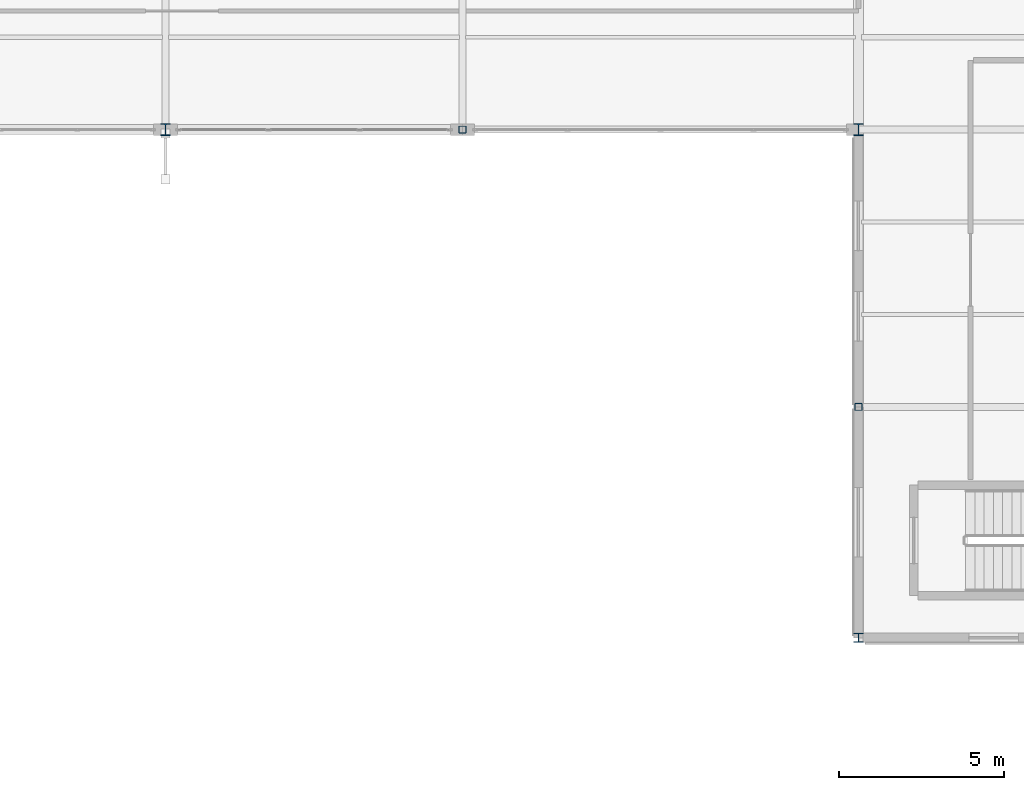
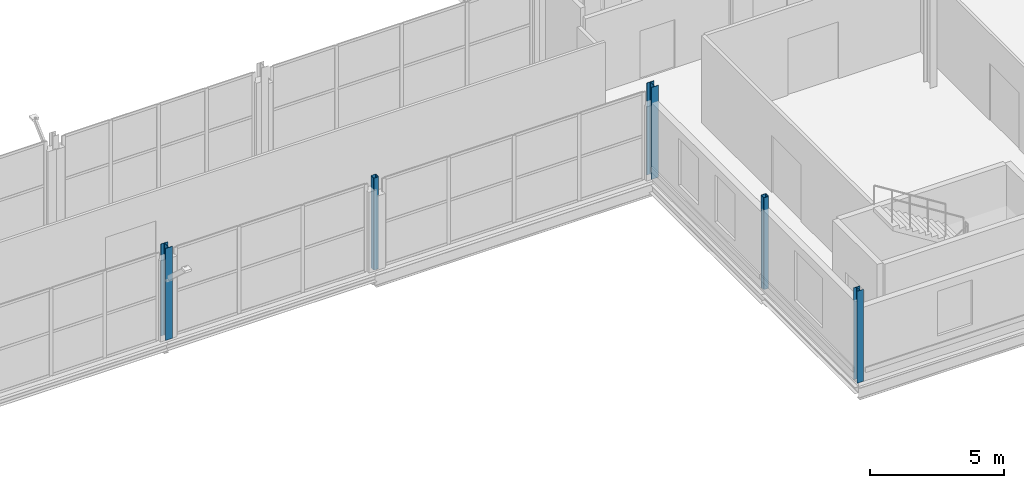
# One storey, part 11 of 101: 5 columns.
"""IFC4 building model written with IfcOpenShell, lengths in metres."""

import ifcopenshell
import ifcopenshell.guid

model = None  # the IFC model being written
_history = None  # IfcOwnerHistory: only IFC2X3 demands one
_inside = {}  # id of a spatial element -> (the spatial element, [elements in it])
_under = {}  # id of a project, library or spatial element -> (it, [spatial elements below it])
_declared = {}  # id of a project -> (the project, [libraries it declares])
_typed = {}  # id of a type object -> (the type object, [elements of that type])
_made_of = {}  # id of a material, layer set ... -> (it, [elements and type objects made of it])


def new_model(schema):
    """Start an empty IFC model of exactly this schema.

    Asked for "IFC4X3", IfcOpenShell would pick the latest addendum, in which some entities
    have other attributes; the version numbers below select the first issue.
    IFC2X3 requires an IfcOwnerHistory on every rooted entity: one is made here for all.
    """
    global model, _history
    if schema == "IFC4X3":
        model = ifcopenshell.file(schema_version=(4, 3, 0, 0))
    else:
        model = ifcopenshell.file(schema=schema)
    _inside.clear()
    _under.clear()
    _declared.clear()
    _typed.clear()
    _made_of.clear()
    _history = None
    if model.schema == "IFC2X3":
        org = make("IfcOrganization", Name="unknown")
        user = make(
            "IfcPersonAndOrganization",
            ThePerson=make("IfcPerson", FamilyName="unknown"),
            TheOrganization=org,
        )
        app = make(
            "IfcApplication",
            ApplicationDeveloper=org,
            Version="unknown",
            ApplicationFullName="unknown",
            ApplicationIdentifier="unknown",
        )
        _history = make(
            "IfcOwnerHistory",
            OwningUser=user,
            OwningApplication=app,
            ChangeAction="ADDED",
            CreationDate=0,
        )
    return model


def make(cls, **values):
    """One entity of the class cls with the attributes given. An attribute that is None is left unset."""
    return model.create_entity(
        cls, **{name: value for name, value in values.items() if value is not None}
    )


def rooted(cls, **values):
    """An entity with a GlobalId (a new one), such as an element, a storey or a relation."""
    return make(cls, GlobalId=ifcopenshell.guid.new(), OwnerHistory=_history, **values)


def si_unit(unit_type, name, prefix=None):
    """IfcSIUnit, for example si_unit("LENGTHUNIT", "METRE", prefix="MILLI")."""
    return make("IfcSIUnit", UnitType=unit_type, Prefix=prefix, Name=name)


def assignment(units):
    """IfcUnitAssignment: the units of a project."""
    return None if units is None else make("IfcUnitAssignment", Units=units)


def point(xyz):
    """IfcCartesianPoint."""
    return None if xyz is None else make("IfcCartesianPoint", Coordinates=xyz)


def direction(xyz):
    """IfcDirection."""
    return None if xyz is None else make("IfcDirection", DirectionRatios=xyz)


def frame(location, z_axis=None, x_axis=None):
    """IfcAxis2Placement3D, a coordinate frame: its origin and axes. An axis left out is left unset."""
    return make(
        "IfcAxis2Placement3D",
        Location=point(location),
        Axis=direction(z_axis),
        RefDirection=direction(x_axis),
    )


def frame_2d(location, x_axis=None):
    """IfcAxis2Placement2D, a coordinate frame in the plane: its origin and x axis."""
    return make(
        "IfcAxis2Placement2D", Location=point(location), RefDirection=direction(x_axis)
    )


def origin():
    """The frame at (0, 0, 0) with its axes left unset."""
    return frame((0.0, 0.0, 0.0))


def origin_2d():
    """The frame at (0, 0) in the plane with its x axis left unset."""
    return frame_2d((0.0, 0.0))


def place(relative_to, where):
    """IfcLocalPlacement: puts the frame where relative to a parent placement (None: the world)."""
    return make(
        "IfcLocalPlacement", PlacementRelTo=relative_to, RelativePlacement=where
    )


def context(
    kind, dimensions, precision=None, world=None, true_north=None, identifier=None
):
    """IfcGeometricRepresentationContext, for example the 3D "Model" context."""
    return make(
        "IfcGeometricRepresentationContext",
        ContextIdentifier=identifier,
        ContextType=kind,
        CoordinateSpaceDimension=dimensions,
        Precision=precision,
        WorldCoordinateSystem=world,
        TrueNorth=true_north,
    )


def subcontext(parent, identifier, kind, view, scale=None):
    """IfcGeometricRepresentationSubContext, for example "Body" below "Model"."""
    return make(
        "IfcGeometricRepresentationSubContext",
        ContextIdentifier=identifier,
        ContextType=kind,
        ParentContext=parent,
        TargetScale=scale,
        TargetView=view,
    )


def project(units=None, contexts=None):
    """IfcProject with its units and contexts."""
    return rooted(
        "IfcProject",
        Name="project",
        RepresentationContexts=contexts,
        UnitsInContext=assignment(units),
    )


def spatial(cls, under=None, at=None, **own):
    """A site, building, storey or space (cls), placed at a placement, below another one or the project."""
    s = rooted(cls, ObjectPlacement=at, **own)
    if under is not None:
        _under.setdefault(under.id(), (under, []))[1].append(s)
    return s


def profile(cls, at=None, kind="AREA", **sizes):
    """A parametric profile (cls). Its sizes go by their IFC names, for example OverallWidth=200.0."""
    return make(cls, ProfileType=kind, Position=at, **sizes)


def hollow_rectangle(**sizes):
    """IfcRectangleHollowProfileDef."""
    return profile("IfcRectangleHollowProfileDef", **sizes)


def i_section(**sizes):
    """IfcIShapeProfileDef."""
    return profile("IfcIShapeProfileDef", **sizes)


def extrude(swept, where, along, depth):
    """IfcExtrudedAreaSolid: the profile swept, set in the frame where, extruded along a direction by depth."""
    return make(
        "IfcExtrudedAreaSolid",
        SweptArea=swept,
        Position=where,
        ExtrudedDirection=direction(along),
        Depth=depth,
    )


def shape(context_of_items, identifier, shape_type, items):
    """IfcShapeRepresentation: the items that make up one representation, for example the "Body"."""
    return make(
        "IfcShapeRepresentation",
        ContextOfItems=context_of_items,
        RepresentationIdentifier=identifier,
        RepresentationType=shape_type,
        Items=items,
    )


def material(Name=None, Category=None):
    """IfcMaterial."""
    return make("IfcMaterial", Name=Name, Category=Category)


def material_profile(
    of_material, cross_section, Name=None, Category=None, Priority=None
):
    """IfcMaterialProfile: a cross section and its material."""
    return make(
        "IfcMaterialProfile",
        Name=Name,
        Material=of_material,
        Profile=cross_section,
        Priority=Priority,
        Category=Category,
    )


def profile_set(profiles, Name=None, composite=None):
    """IfcMaterialProfileSet."""
    return make(
        "IfcMaterialProfileSet",
        Name=Name,
        MaterialProfiles=profiles,
        CompositeProfile=composite,
    )


def made_of(thing, what):
    """Note that an element or type object is made of a material, layer set ...; save() writes the relation."""
    if what is not None:
        _made_of.setdefault(what.id(), (what, []))[1].append(thing)
    return thing


def type_object(cls, material=None, **own):
    """A type object (cls), such as IfcWallType, which elements share."""
    return made_of(rooted(cls, **own), material)


def element(
    cls,
    number,
    at=None,
    inside=None,
    cuts=None,
    type_object=None,
    material=None,
    context=None,
    identifier="Body",
    shape_type=None,
    held_by="IfcProductDefinitionShape",
    body=None,
    shapes=None,
    **own,
):
    """One element of the class cls, such as IfcWall. Its Tag is "e" and its number.

    at: its placement. inside: the storey or other place that contains it. cuts: it is an
    opening in that element (IfcRelVoidsElement). A single representation is given by context,
    identifier, shape_type and body (its items); several are given by shapes. held_by: the class
    of the entity that holds the representations. save() writes the other relations.
    """
    e = rooted(cls, Tag="e%d" % number, ObjectPlacement=at, **own)
    if body is not None:
        shapes = [shape(context, identifier, shape_type, body)]
    if shapes is not None:
        e.Representation = make(held_by, Representations=shapes)
    if inside is not None:
        _inside.setdefault(inside.id(), (inside, []))[1].append(e)
    if cuts is not None:
        rooted(
            "IfcRelVoidsElement", RelatingBuildingElement=cuts, RelatedOpeningElement=e
        )
    if type_object is not None:
        _typed.setdefault(type_object.id(), (type_object, []))[1].append(e)
    return made_of(e, material)


def aggregate(whole, parts):
    """IfcRelAggregates: a whole, such as a stair, and the parts it consists of."""
    return rooted("IfcRelAggregates", RelatingObject=whole, RelatedObjects=parts)


def save(model, path):
    """Write the relations noted so far, then the file.

    IfcRelAggregates (storeys below a building ...), IfcRelContainedInSpatialStructure (elements
    in a storey), IfcRelDefinesByType, IfcRelAssociatesMaterial and IfcRelDeclares: one each for
    every whole, place, type object, material and project.
    """
    for whole, parts in _under.values():
        aggregate(whole, parts)
    for where, things in _inside.values():
        rooted(
            "IfcRelContainedInSpatialStructure",
            RelatedElements=things,
            RelatingStructure=where,
        )
    for kind, things in _typed.values():
        rooted("IfcRelDefinesByType", RelatedObjects=things, RelatingType=kind)
    for what, things in _made_of.values():
        rooted("IfcRelAssociatesMaterial", RelatedObjects=things, RelatingMaterial=what)
    for by, libraries in _declared.values():
        rooted("IfcRelDeclares", RelatingContext=by, RelatedDefinitions=libraries)
    model.write(path)


model = new_model("IFC4")

# Units and contexts
model_context = context("Model", 3, precision=1e-05, world=origin(), true_north=direction((0.0, 1.0)))
body_context = subcontext(model_context, "Body", "Model", "MODEL_VIEW")
ifc_project = project(units=[si_unit("LENGTHUNIT", "METRE"), si_unit("AREAUNIT", "SQUARE_METRE"), si_unit("VOLUMEUNIT", "CUBIC_METRE"), si_unit("PLANEANGLEUNIT", "RADIAN"), si_unit("MASSUNIT", "GRAM", prefix="KILO")], contexts=[model_context])

# Site, building, storey
site_placement = place(None, origin())
site = spatial("IfcSite", under=ifc_project, at=site_placement, CompositionType="ELEMENT")
building_placement = place(site_placement, origin())
building = spatial("IfcBuilding", under=site, at=building_placement, Name="Vekula Escarpment Museum", CompositionType="ELEMENT")
storey_placement = place(building_placement, frame((0.0, 0.0, 18.0)))
storey = spatial("IfcBuildingStorey", under=building, at=storey_placement, Name="L04", CompositionType="ELEMENT", Elevation=18.0)

# Columns
ifc_material_1 = material(Name="Steel S355", Category="steel")
ifc_material_profile_1 = material_profile(ifc_material_1, i_section(OverallWidth=0.280029296875, OverallDepth=0.27001953125, WebThickness=0.008056640625, FlangeThickness=0.012939453125, FilletRadius=0.02392578125, at=origin_2d()), Name="HEA 280")
ifc_profile_set_1 = profile_set([ifc_material_profile_1], Name="Steel S355")
column_type_1 = type_object("IfcColumnType", Name="COL-S-HEA280", PredefinedType="COLUMN", material=ifc_profile_set_1)
column_placement = place(storey_placement, frame((167.0, 52.60009765625, 0.0), z_axis=(0.0, 0.0, 1.0), x_axis=(1.0, 0.0, 0.0)))
element("IfcColumn", 1, at=column_placement, inside=storey, type_object=column_type_1, Name="Column L04 (167.0,52.6)", PredefinedType="COLUMN", context=body_context, shape_type="SweptSolid", body=[
    extrude(i_section(OverallWidth=0.280029296875, OverallDepth=0.27001953125, WebThickness=0.008056640625, FlangeThickness=0.012939453125, FilletRadius=0.02392578125, at=origin_2d()), origin(), (0.0, 0.0, 1.0), 4.199951171875),
])
ifc_material_2 = material(Name="Steel S355", Category="steel")
ifc_material_profile_2 = material_profile(ifc_material_2, i_section(OverallWidth=0.300048828125, OverallDepth=0.360107421875, WebThickness=0.012451171875, FlangeThickness=0.0224609375, FilletRadius=0.027099609375, at=origin_2d()), Name="HEB 360")
ifc_profile_set_2 = profile_set([ifc_material_profile_2], Name="Steel S355")
column_type_2 = type_object("IfcColumnType", Name="COL-S-HEB360", PredefinedType="COLUMN", material=ifc_profile_set_2)
for number, where, z_axis, x_axis, name in (
    (2, (146.0, 68.0, 0.0), (0.0, 0.0, 1.0), (1.0, 0.0, 0.0), "Column L04 (146.0,68.0)"),
    (3, (167.0, 68.0, 0.0), (0.0, 0.0, 1.0), (1.0, 0.0, 0.0), "Column L04 (167.0,68.0)"),
):
    element("IfcColumn", number, at=place(storey_placement, frame(where, z_axis=z_axis, x_axis=x_axis)), inside=storey, type_object=column_type_2, Name=name, PredefinedType="COLUMN", context=body_context, shape_type="SweptSolid", body=[
        extrude(i_section(OverallWidth=0.300048828125, OverallDepth=0.360107421875, WebThickness=0.012451171875, FlangeThickness=0.0224609375, FilletRadius=0.027099609375, at=origin_2d()), origin(), (0.0, 0.0, 1.0), 4.199951171875),
    ])
ifc_material_3 = material(Name="Steel S355", Category="steel")
ifc_material_profile_3 = material_profile(ifc_material_3, hollow_rectangle(XDim=0.219970703125, YDim=0.219970703125, WallThickness=0.011962890625, InnerFilletRadius=0.011962890625, OuterFilletRadius=0.02392578125, at=origin_2d()), Name="SHS 220x220x12")
ifc_profile_set_3 = profile_set([ifc_material_profile_3], Name="Steel S355")
column_type_3 = type_object("IfcColumnType", Name="COL-S-SHS220", PredefinedType="COLUMN", material=ifc_profile_set_3)
for number, where, z_axis, x_axis, name in (
    (4, (155.0, 68.0, 0.0), (0.0, 0.0, 1.0), (1.0, 0.0, 0.0), "Column L04 (155.0,68.0)"),
    (5, (167.0, 59.60009765625, 0.0), (0.0, 0.0, 1.0), (1.0, 0.0, 0.0), "Column L04 (167.0,59.6)"),
):
    element("IfcColumn", number, at=place(storey_placement, frame(where, z_axis=z_axis, x_axis=x_axis)), inside=storey, type_object=column_type_3, Name=name, PredefinedType="COLUMN", context=body_context, shape_type="SweptSolid", body=[
        extrude(hollow_rectangle(XDim=0.219970703125, YDim=0.219970703125, WallThickness=0.011962890625, InnerFilletRadius=0.011962890625, OuterFilletRadius=0.02392578125, at=origin_2d()), origin(), (0.0, 0.0, 1.0), 4.199951171875),
    ])

save(model, "model.ifc")
